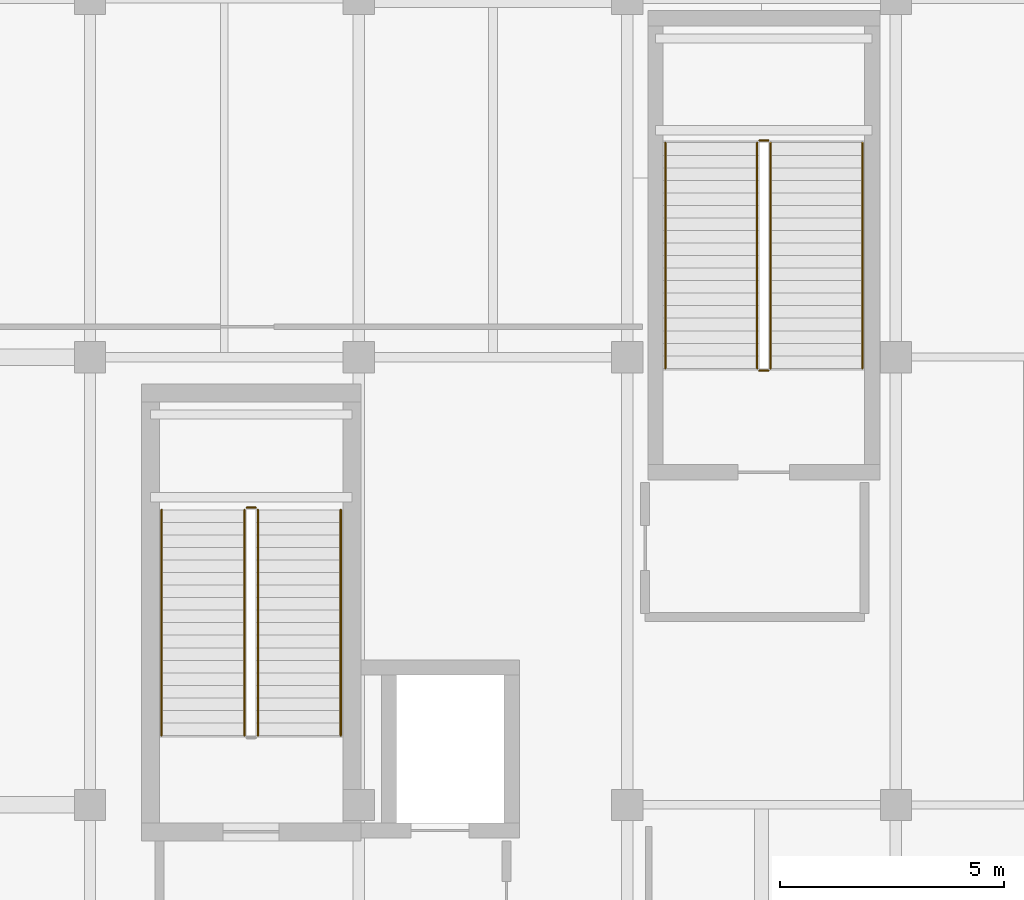
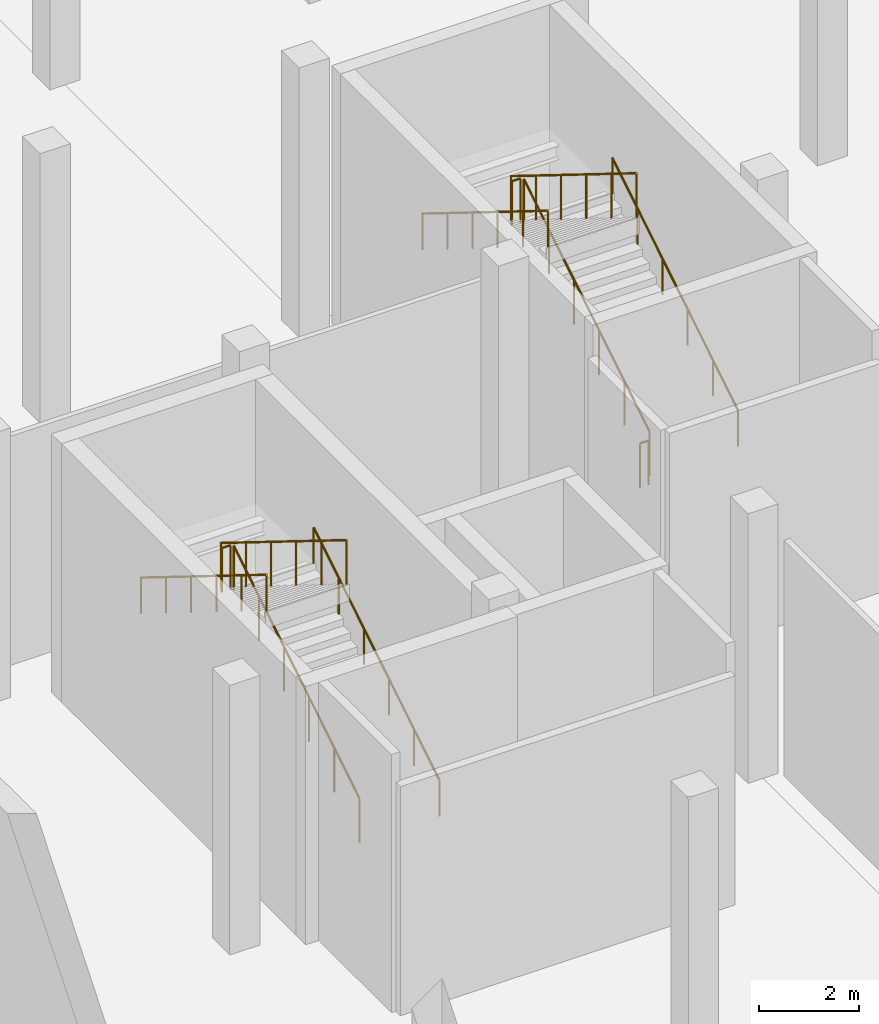
# One storey, part 137 of 140: 11 railings.
"""IFC4 building model written with IfcOpenShell, lengths in metres."""

from ifc_helpers import new_model, si_unit, direction, frame, origin, origin_2d, place, context, subcontext, project, spatial, circle, extrude, material, type_object, element, save


model = new_model("IFC4")

# Units and contexts
model_context = context("Model", 3, precision=1e-05, world=origin(), true_north=direction((0.0, 1.0)))
body_context = subcontext(model_context, "Body", "Model", "MODEL_VIEW")
ifc_project = project(units=[si_unit("LENGTHUNIT", "METRE"), si_unit("AREAUNIT", "SQUARE_METRE"), si_unit("VOLUMEUNIT", "CUBIC_METRE"), si_unit("PLANEANGLEUNIT", "RADIAN"), si_unit("MASSUNIT", "GRAM", prefix="KILO")], contexts=[model_context])

# Site, building, storey
site_placement = place(None, origin())
site = spatial("IfcSite", under=ifc_project, at=site_placement, CompositionType="ELEMENT")
building_placement = place(site_placement, origin())
building = spatial("IfcBuilding", under=site, at=building_placement, Name="Verrall Gate Interchange", CompositionType="ELEMENT")
storey_placement = place(building_placement, origin())
storey = spatial("IfcBuildingStorey", under=building, at=storey_placement, Name="L01", CompositionType="ELEMENT", Elevation=0.0)

# Railings
ifc_material_1 = material(Name="Brushed Stainless-Steel Guardrail and Handrail System", Category="steel")
railing_type_1 = type_object("IfcRailingType", Name="GR-02 Interior Atrium and Stair Guardrail 1100", PredefinedType="GUARDRAIL", material=ifc_material_1)
railing_1_placement = place(storey_placement, frame((9.75, 57.550048828125, 0.173583984375)))
element("IfcRailing", 1, at=railing_1_placement, inside=storey, type_object=railing_type_1, Name="L01 ST-03 stair guard 1", PredefinedType="GUARDRAIL", context=body_context, shape_type="SweptSolid", body=[
    extrude(circle(Radius=0.02392578125, at=origin_2d()), frame((0.0, 0.0, 1.076171875), z_axis=(0.0, 0.849778785312, 0.527139465448), x_axis=(-1.0, 0.0, 0.0)), (0.0, 0.0, 1.0), 5.930908203125),
    extrude(circle(Radius=0.02099609375, at=origin_2d()), origin(), (0.0, 0.0, 1.0), 1.052001953125),
    extrude(circle(Radius=0.02099609375, at=origin_2d()), frame((0.0, 1.008056640625, 0.625244140625)), (0.0, 0.0, 1.0), 1.052001953125),
    extrude(circle(Radius=0.02099609375, at=origin_2d()), frame((0.0, 2.01611328125, 1.25048828125)), (0.0, 0.0, 1.0), 1.052001953125),
    extrude(circle(Radius=0.02099609375, at=origin_2d()), frame((0.0, 3.02392578125, 1.8759765625)), (0.0, 0.0, 1.0), 1.052001953125),
    extrude(circle(Radius=0.02099609375, at=origin_2d()), frame((0.0, 4.031982421875, 2.501220703125)), (0.0, 0.0, 1.0), 1.052001953125),
    extrude(circle(Radius=0.02099609375, at=origin_2d()), frame((0.0, 5.0400390625, 3.12646484375)), (0.0, 0.0, 1.0), 1.052001953125),
])
railing_2_placement = place(storey_placement, frame((9.699951171875, 62.639892578125, 3.300048828125)))
element("IfcRailing", 2, at=railing_2_placement, inside=storey, type_object=railing_type_1, Name="L01 ST-03 stair guard 2", PredefinedType="GUARDRAIL", context=body_context, shape_type="SweptSolid", body=[
    extrude(circle(Radius=0.02392578125, at=origin_2d()), frame((0.0, 0.0, 1.076171875), z_axis=(-1.0, 0.0, 0.0), x_axis=(0.0, -1.0, 0.0)), (0.0, 0.0, 1.0), 0.199951171875),
    extrude(circle(Radius=0.02099609375, at=origin_2d()), origin(), (0.0, 0.0, 1.0), 1.052001953125),
    extrude(circle(Radius=0.02099609375, at=origin_2d()), frame((-0.199951171875, 0.0, 0.0)), (0.0, 0.0, 1.0), 1.052001953125),
])
railing_3_placement = place(storey_placement, frame((9.449951171875, 62.590087890625, 3.4736328125)))
element("IfcRailing", 3, at=railing_3_placement, inside=storey, type_object=railing_type_1, Name="L01 ST-03 stair guard 3", PredefinedType="GUARDRAIL", context=body_context, shape_type="SweptSolid", body=[
    extrude(circle(Radius=0.02392578125, at=origin_2d()), frame((0.0, 0.0, 1.076171875), z_axis=(0.0, -0.849778785312, 0.527139465448), x_axis=(1.0, 0.0, 0.0)), (0.0, 0.0, 1.0), 5.930908203125),
    extrude(circle(Radius=0.02099609375, at=origin_2d()), origin(), (0.0, 0.0, 1.0), 1.052001953125),
    extrude(circle(Radius=0.02099609375, at=origin_2d()), frame((0.0, -1.008056640625, 0.625244140625)), (0.0, 0.0, 1.0), 1.052001953125),
    extrude(circle(Radius=0.02099609375, at=origin_2d()), frame((0.0, -2.01611328125, 1.25048828125)), (0.0, 0.0, 1.0), 1.052001953125),
    extrude(circle(Radius=0.02099609375, at=origin_2d()), frame((0.0, -3.02392578125, 1.8759765625)), (0.0, 0.0, 1.0), 1.052001953125),
    extrude(circle(Radius=0.02099609375, at=origin_2d()), frame((0.0, -4.031982421875, 2.501220703125)), (0.0, 0.0, 1.0), 1.052001953125),
    extrude(circle(Radius=0.02099609375, at=origin_2d()), frame((0.0, -5.0400390625, 3.12646484375)), (0.0, 0.0, 1.0), 1.052001953125),
])
railing_4_placement = place(storey_placement, frame((21.199951171875, 65.75, 0.173583984375)))
element("IfcRailing", 4, at=railing_4_placement, inside=storey, type_object=railing_type_1, Name="L01 ST-04 stair guard 1", PredefinedType="GUARDRAIL", context=body_context, shape_type="SweptSolid", body=[
    extrude(circle(Radius=0.02392578125, at=origin_2d()), frame((0.0, 0.0, 1.076171875), z_axis=(0.0, 0.849778785312, 0.527139465448), x_axis=(-1.0, 0.0, 0.0)), (0.0, 0.0, 1.0), 5.930908203125),
    extrude(circle(Radius=0.02099609375, at=origin_2d()), origin(), (0.0, 0.0, 1.0), 1.052001953125),
    extrude(circle(Radius=0.02099609375, at=origin_2d()), frame((0.0, 1.008056640625, 0.625244140625)), (0.0, 0.0, 1.0), 1.052001953125),
    extrude(circle(Radius=0.02099609375, at=origin_2d()), frame((0.0, 2.01611328125, 1.25048828125)), (0.0, 0.0, 1.0), 1.052001953125),
    extrude(circle(Radius=0.02099609375, at=origin_2d()), frame((0.0, 3.02392578125, 1.8759765625)), (0.0, 0.0, 1.0), 1.052001953125),
    extrude(circle(Radius=0.02099609375, at=origin_2d()), frame((0.0, 4.031982421875, 2.501220703125)), (0.0, 0.0, 1.0), 1.052001953125),
    extrude(circle(Radius=0.02099609375, at=origin_2d()), frame((0.0, 5.0400390625, 3.12646484375)), (0.0, 0.0, 1.0), 1.052001953125),
])
railing_5_placement = place(storey_placement, frame((21.14990234375, 70.840087890625, 3.300048828125)))
element("IfcRailing", 5, at=railing_5_placement, inside=storey, type_object=railing_type_1, Name="L01 ST-04 stair guard 2", PredefinedType="GUARDRAIL", context=body_context, shape_type="SweptSolid", body=[
    extrude(circle(Radius=0.02392578125, at=origin_2d()), frame((0.0, 0.0, 1.076171875), z_axis=(-1.0, 0.0, 0.0), x_axis=(0.0, -1.0, 0.0)), (0.0, 0.0, 1.0), 0.199951171875),
    extrude(circle(Radius=0.02099609375, at=origin_2d()), origin(), (0.0, 0.0, 1.0), 1.052001953125),
    extrude(circle(Radius=0.02099609375, at=origin_2d()), frame((-0.199951171875, 0.0, 0.0)), (0.0, 0.0, 1.0), 1.052001953125),
])
railing_6_placement = place(storey_placement, frame((20.89990234375, 70.7900390625, 3.4736328125)))
element("IfcRailing", 6, at=railing_6_placement, inside=storey, type_object=railing_type_1, Name="L01 ST-04 stair guard 3", PredefinedType="GUARDRAIL", context=body_context, shape_type="SweptSolid", body=[
    extrude(circle(Radius=0.02392578125, at=origin_2d()), frame((0.0, 0.0, 1.076171875), z_axis=(0.0, -0.849778785312, 0.527139465448), x_axis=(1.0, 0.0, 0.0)), (0.0, 0.0, 1.0), 5.930908203125),
    extrude(circle(Radius=0.02099609375, at=origin_2d()), origin(), (0.0, 0.0, 1.0), 1.052001953125),
    extrude(circle(Radius=0.02099609375, at=origin_2d()), frame((0.0, -1.008056640625, 0.625244140625)), (0.0, 0.0, 1.0), 1.052001953125),
    extrude(circle(Radius=0.02099609375, at=origin_2d()), frame((0.0, -2.01611328125, 1.25048828125)), (0.0, 0.0, 1.0), 1.052001953125),
    extrude(circle(Radius=0.02099609375, at=origin_2d()), frame((0.0, -3.02392578125, 1.8759765625)), (0.0, 0.0, 1.0), 1.052001953125),
    extrude(circle(Radius=0.02099609375, at=origin_2d()), frame((0.0, -4.031982421875, 2.501220703125)), (0.0, 0.0, 1.0), 1.052001953125),
    extrude(circle(Radius=0.02099609375, at=origin_2d()), frame((0.0, -5.0400390625, 3.12646484375)), (0.0, 0.0, 1.0), 1.052001953125),
])
railing_7_placement = place(storey_placement, frame((21.14990234375, 65.699951171875, 0.0)))
element("IfcRailing", 7, at=railing_7_placement, inside=storey, type_object=railing_type_1, Name="L01 ST-04 stair guard 4", PredefinedType="GUARDRAIL", context=body_context, shape_type="SweptSolid", body=[
    extrude(circle(Radius=0.02392578125, at=origin_2d()), frame((0.0, 0.0, 1.076171875), z_axis=(-1.0, 0.0, 0.0), x_axis=(0.0, -1.0, 0.0)), (0.0, 0.0, 1.0), 0.199951171875),
    extrude(circle(Radius=0.02099609375, at=origin_2d()), origin(), (0.0, 0.0, 1.0), 1.052001953125),
    extrude(circle(Radius=0.02099609375, at=origin_2d()), frame((-0.199951171875, 0.0, 0.0)), (0.0, 0.0, 1.0), 1.052001953125),
])
ifc_material_2 = material(Name="Brushed Stainless-Steel Guardrail and Handrail System", Category="steel")
railing_type_2 = type_object("IfcRailingType", Name="HR-01 Stair and Ramp Pitch-Line Handrail 920", PredefinedType="HANDRAIL", material=ifc_material_2)
railing_8_placement = place(storey_placement, frame((11.60009765625, 57.550048828125, 0.173583984375)))
element("IfcRailing", 8, at=railing_8_placement, inside=storey, type_object=railing_type_2, Name="L01 ST-03 stair handrail 1", PredefinedType="HANDRAIL", context=body_context, shape_type="SweptSolid", body=[
    extrude(circle(Radius=0.02392578125, at=origin_2d()), frame((0.0, 0.0, 0.8759765625), z_axis=(0.0, 0.849778785312, 0.527139465448), x_axis=(-1.0, 0.0, 0.0)), (0.0, 0.0, 1.0), 5.930908203125),
    extrude(circle(Radius=0.02099609375, at=origin_2d()), origin(), (0.0, 0.0, 1.0), 0.851806640625),
    extrude(circle(Radius=0.02099609375, at=origin_2d()), frame((0.0, 1.008056640625, 0.625244140625)), (0.0, 0.0, 1.0), 0.851806640625),
    extrude(circle(Radius=0.02099609375, at=origin_2d()), frame((0.0, 2.01611328125, 1.25048828125)), (0.0, 0.0, 1.0), 0.851806640625),
    extrude(circle(Radius=0.02099609375, at=origin_2d()), frame((0.0, 3.02392578125, 1.8759765625)), (0.0, 0.0, 1.0), 0.851806640625),
    extrude(circle(Radius=0.02099609375, at=origin_2d()), frame((0.0, 4.031982421875, 2.501220703125)), (0.0, 0.0, 1.0), 0.851806640625),
    extrude(circle(Radius=0.02099609375, at=origin_2d()), frame((0.0, 5.0400390625, 3.12646484375)), (0.0, 0.0, 1.0), 0.851806640625),
])
railing_9_placement = place(storey_placement, frame((7.60009765625, 62.590087890625, 3.4736328125)))
element("IfcRailing", 9, at=railing_9_placement, inside=storey, type_object=railing_type_2, Name="L01 ST-03 stair handrail 2", PredefinedType="HANDRAIL", context=body_context, shape_type="SweptSolid", body=[
    extrude(circle(Radius=0.02392578125, at=origin_2d()), frame((0.0, 0.0, 0.8759765625), z_axis=(0.0, -0.849778785312, 0.527139465448), x_axis=(1.0, 0.0, 0.0)), (0.0, 0.0, 1.0), 5.930908203125),
    extrude(circle(Radius=0.02099609375, at=origin_2d()), origin(), (0.0, 0.0, 1.0), 0.851806640625),
    extrude(circle(Radius=0.02099609375, at=origin_2d()), frame((0.0, -1.008056640625, 0.625244140625)), (0.0, 0.0, 1.0), 0.851806640625),
    extrude(circle(Radius=0.02099609375, at=origin_2d()), frame((0.0, -2.01611328125, 1.25048828125)), (0.0, 0.0, 1.0), 0.851806640625),
    extrude(circle(Radius=0.02099609375, at=origin_2d()), frame((0.0, -3.02392578125, 1.8759765625)), (0.0, 0.0, 1.0), 0.851806640625),
    extrude(circle(Radius=0.02099609375, at=origin_2d()), frame((0.0, -4.031982421875, 2.501220703125)), (0.0, 0.0, 1.0), 0.851806640625),
    extrude(circle(Radius=0.02099609375, at=origin_2d()), frame((0.0, -5.0400390625, 3.12646484375)), (0.0, 0.0, 1.0), 0.851806640625),
])
railing_10_placement = place(storey_placement, frame((23.25, 65.75, 0.173583984375)))
element("IfcRailing", 10, at=railing_10_placement, inside=storey, type_object=railing_type_2, Name="L01 ST-04 stair handrail 1", PredefinedType="HANDRAIL", context=body_context, shape_type="SweptSolid", body=[
    extrude(circle(Radius=0.02392578125, at=origin_2d()), frame((0.0, 0.0, 0.8759765625), z_axis=(0.0, 0.849778785312, 0.527139465448), x_axis=(-1.0, 0.0, 0.0)), (0.0, 0.0, 1.0), 5.930908203125),
    extrude(circle(Radius=0.02099609375, at=origin_2d()), origin(), (0.0, 0.0, 1.0), 0.851806640625),
    extrude(circle(Radius=0.02099609375, at=origin_2d()), frame((0.0, 1.008056640625, 0.625244140625)), (0.0, 0.0, 1.0), 0.851806640625),
    extrude(circle(Radius=0.02099609375, at=origin_2d()), frame((0.0, 2.01611328125, 1.25048828125)), (0.0, 0.0, 1.0), 0.851806640625),
    extrude(circle(Radius=0.02099609375, at=origin_2d()), frame((0.0, 3.02392578125, 1.8759765625)), (0.0, 0.0, 1.0), 0.851806640625),
    extrude(circle(Radius=0.02099609375, at=origin_2d()), frame((0.0, 4.031982421875, 2.501220703125)), (0.0, 0.0, 1.0), 0.851806640625),
    extrude(circle(Radius=0.02099609375, at=origin_2d()), frame((0.0, 5.0400390625, 3.12646484375)), (0.0, 0.0, 1.0), 0.851806640625),
])
railing_11_placement = place(storey_placement, frame((18.85009765625, 70.7900390625, 3.4736328125)))
element("IfcRailing", 11, at=railing_11_placement, inside=storey, type_object=railing_type_2, Name="L01 ST-04 stair handrail 2", PredefinedType="HANDRAIL", context=body_context, shape_type="SweptSolid", body=[
    extrude(circle(Radius=0.02392578125, at=origin_2d()), frame((0.0, 0.0, 0.8759765625), z_axis=(0.0, -0.849778785312, 0.527139465448), x_axis=(1.0, 0.0, 0.0)), (0.0, 0.0, 1.0), 5.930908203125),
    extrude(circle(Radius=0.02099609375, at=origin_2d()), origin(), (0.0, 0.0, 1.0), 0.851806640625),
    extrude(circle(Radius=0.02099609375, at=origin_2d()), frame((0.0, -1.008056640625, 0.625244140625)), (0.0, 0.0, 1.0), 0.851806640625),
    extrude(circle(Radius=0.02099609375, at=origin_2d()), frame((0.0, -2.01611328125, 1.25048828125)), (0.0, 0.0, 1.0), 0.851806640625),
    extrude(circle(Radius=0.02099609375, at=origin_2d()), frame((0.0, -3.02392578125, 1.8759765625)), (0.0, 0.0, 1.0), 0.851806640625),
    extrude(circle(Radius=0.02099609375, at=origin_2d()), frame((0.0, -4.031982421875, 2.501220703125)), (0.0, 0.0, 1.0), 0.851806640625),
    extrude(circle(Radius=0.02099609375, at=origin_2d()), frame((0.0, -5.0400390625, 3.12646484375)), (0.0, 0.0, 1.0), 0.851806640625),
])

save(model, "model.ifc")
